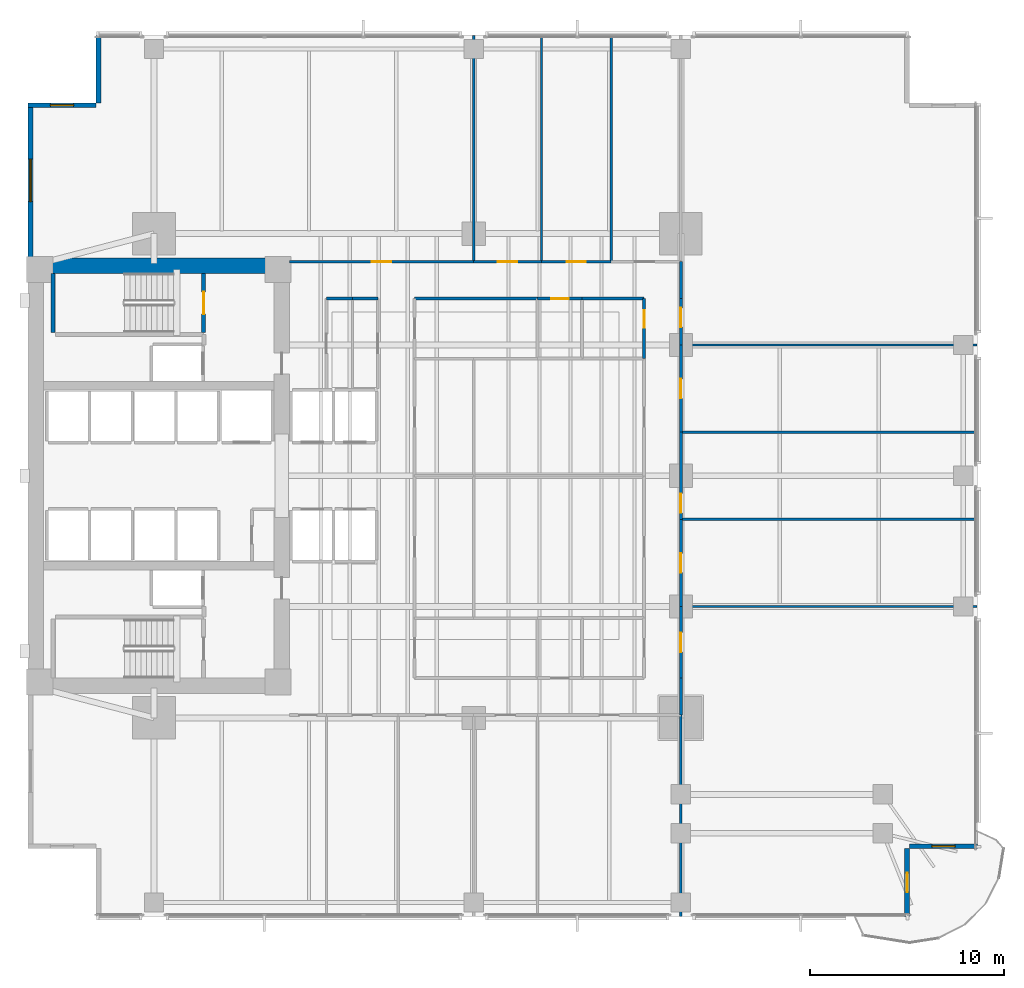
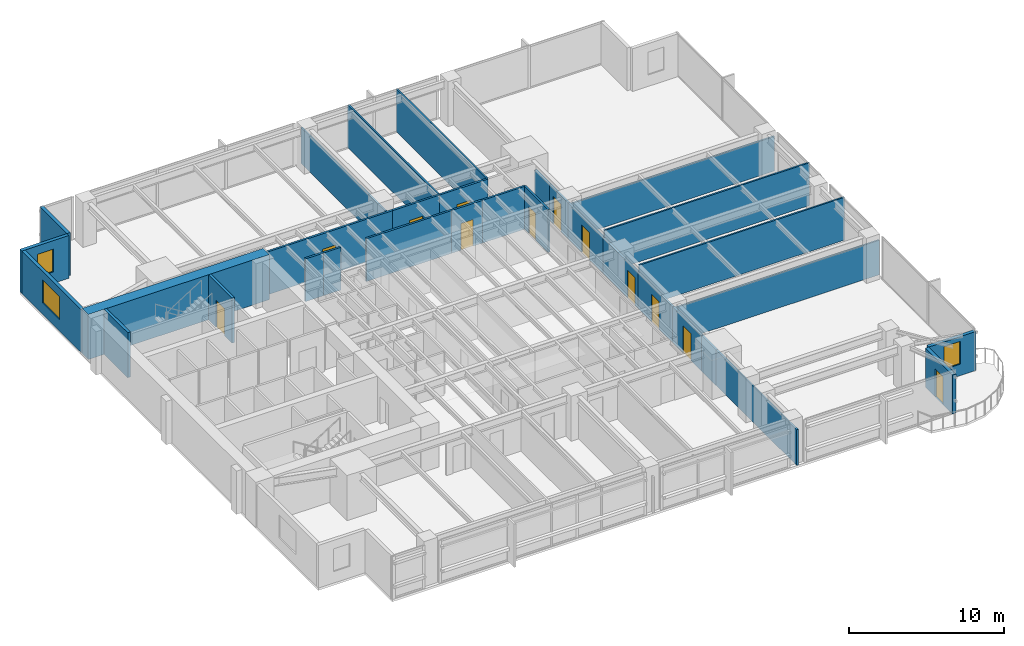
# One storey, part 10 of 15: 32 walls, 12 doors, 3 windows, 15 openings.
"""IFC4 building model written with IfcOpenShell, lengths in metres."""

from ifc_helpers import new_model, si_unit, direction, frame, frame_2d, origin, place, context, subcontext, project, spatial, rectangle, extrude, material, layer, layer_set, type_object, element, fill, save


model = new_model("IFC4")

# Units and contexts
model_context = context("Model", 3, precision=1e-05, world=origin(), true_north=direction((0.0, 1.0)))
body_context = subcontext(model_context, "Body", "Model", "MODEL_VIEW")
ifc_project = project(units=[si_unit("LENGTHUNIT", "METRE"), si_unit("AREAUNIT", "SQUARE_METRE"), si_unit("VOLUMEUNIT", "CUBIC_METRE"), si_unit("PLANEANGLEUNIT", "RADIAN"), si_unit("MASSUNIT", "GRAM", prefix="KILO")], contexts=[model_context])

# Site, building, storey
site_placement = place(None, origin())
site = spatial("IfcSite", under=ifc_project, at=site_placement, CompositionType="ELEMENT")
building_placement = place(site_placement, origin())
building = spatial("IfcBuilding", under=site, at=building_placement, Name="Kinhvarn Gate Tower", CompositionType="ELEMENT")
storey_placement = place(building_placement, frame((0.0, 0.0, 78.85009765625)))
storey = spatial("IfcBuildingStorey", under=building, at=storey_placement, Name="L20", CompositionType="ELEMENT", Elevation=78.85009765625)

# Wall
ifc_material_1 = material(Name="Concrete C70/85", Category="concrete")
ifc_layer_1 = layer(ifc_material_1, 0.800048828125)
ifc_layer_set_1 = layer_set([ifc_layer_1], Name="Concrete C70/85")
wall_type_1 = type_object("IfcWallType", Name="WL-CORE-800", PredefinedType="SHEAR", material=ifc_layer_set_1)
wall_1_placement = place(storey_placement, frame((4.5, 36.10009765625, 0.0), z_axis=(0.0, 0.0, 1.0), x_axis=(1.0, 0.0, 0.0)))
element("IfcWall", 1, at=wall_1_placement, inside=storey, type_object=wall_type_1, Name="Core North Shear Wall L20 800 mm", PredefinedType="SHEAR", context=body_context, shape_type="SweptSolid", body=[
    extrude(rectangle(XDim=13.5, YDim=0.800048828125, at=frame_2d((6.75, 0.0))), origin(), (0.0, 0.0, 1.0), 3.5498046875),
])

# Wall, opening, window
ifc_material_2 = material(Name="Fired architectural terracotta", Category="masonry")
ifc_layer_2 = layer(ifc_material_2, 0.25)
ifc_layer_set_2 = layer_set([ifc_layer_2], Name="Fired architectural terracotta")
wall_type_2 = type_object("IfcWallType", Name="WL-EXT-250", PredefinedType="SOLIDWALL", material=ifc_layer_set_2)
wall_2_placement = place(storey_placement, frame((4.625, 44.5, 0.0), z_axis=(0.0, 0.0, 1.0), x_axis=(0.0, -1.0, 0.0)))
wall_2 = element("IfcWall", 2, at=wall_2_placement, inside=storey, type_object=wall_type_2, Name="Exterior Solidwall Wall EW-250 (L20 West-North)", PredefinedType="SOLIDWALL", context=body_context, shape_type="SweptSolid", body=[
    extrude(rectangle(XDim=8.0, YDim=0.25, at=frame_2d((4.0, 0.0))), origin(), (0.0, 0.0, 1.0), 3.369873046875),
])
opening_1_placement = place(wall_2_placement, frame((2.89990234375, 0.0, 0.89990234375)))
opening_1 = element("IfcOpeningElement", 3, at=opening_1_placement, cuts=wall_2, Name="Opening WN-01", PredefinedType="OPENING", context=body_context, shape_type="SweptSolid", body=[
    extrude(rectangle(XDim=2.199951171875, YDim=1.800048828125, at=frame_2d((1.10009765625, 0.89990234375))), frame((0.0, 0.135009765625, 0.0), z_axis=(0.0, -1.0, 0.0), x_axis=(1.0, 0.0, 0.0)), (0.0, 0.0, 1.0), 0.27001953125),
])
ifc_material_3 = material(Name="Clear low-e double glazing", Category="glass")
window_type_1 = type_object("IfcWindowType", Name="WIN-RIB-2200", PartitioningType="SINGLE_PANEL", PredefinedType="WINDOW", material=ifc_material_3)
window_1_placement = place(opening_1_placement, origin())
window_1 = element("IfcWindow", 4, at=window_1_placement, inside=storey, type_object=window_type_1, Name="West Flank Double-Glazed Ribbon Window 2200x1800 mm (L20)", OverallHeight=1.800048828125, OverallWidth=2.199951171875, PartitioningType="SINGLE_PANEL", PredefinedType="WINDOW", context=body_context, shape_type="SweptSolid", body=[
    extrude(rectangle(XDim=2.199951171875, YDim=1.800048828125, at=frame_2d((1.10009765625, 0.89990234375))), frame((0.0, 0.030029296875, 0.0), z_axis=(0.0, -1.0, 0.0), x_axis=(1.0, 0.0, 0.0)), (0.0, 0.0, 1.0), 0.06005859375),
])
fill(opening_1, window_1)

# Wall, opening, door
wall_3_placement = place(storey_placement, frame((49.875, 2.5, 0.0), z_axis=(0.0, 0.0, 1.0), x_axis=(0.0, 1.0, 0.0)))
wall_3 = element("IfcWall", 5, at=wall_3_placement, inside=storey, type_object=wall_type_2, Name="Exterior Solidwall Wall EW-250 (L20 SE-Notch-Door)", PredefinedType="SOLIDWALL", context=body_context, shape_type="SweptSolid", body=[
    extrude(rectangle(XDim=3.5, YDim=0.25, at=frame_2d((1.75, 0.0))), origin(), (0.0, 0.0, 1.0), 3.06982421875),
])
opening_2_placement = place(wall_3_placement, frame((1.25, 0.0, 0.0)))
opening_2 = element("IfcOpeningElement", 6, at=opening_2_placement, cuts=wall_3, Name="Opening BD-01", PredefinedType="OPENING", context=body_context, shape_type="SweptSolid", body=[
    extrude(rectangle(XDim=1.0, YDim=2.199951171875, at=frame_2d((0.5, 1.10009765625))), frame((0.0, 0.135009765625, 0.0), z_axis=(0.0, -1.0, 0.0), x_axis=(1.0, 0.0, 0.0)), (0.0, 0.0, 1.0), 0.27001953125),
])
door_type_1 = type_object("IfcDoorType", Name="DR-BAL-1000", OperationType="NOTDEFINED", PredefinedType="DOOR", material=ifc_material_3)
door_1_placement = place(opening_2_placement, frame((1.0, 0.0, 0.0), z_axis=(0.0, 0.0, 1.0), x_axis=(-1.0, 0.0, 0.0)))
door_1 = element("IfcDoor", 7, at=door_1_placement, inside=storey, type_object=door_type_1, Name="S-Carve Balcony Door BD-01 (L20)", OperationType="SINGLE_SWING_LEFT", OverallHeight=2.199951171875, OverallWidth=1.0, PredefinedType="DOOR", context=body_context, shape_type="SweptSolid", body=[
    extrude(rectangle(XDim=1.0, YDim=2.199951171875, at=frame_2d((0.5, 1.10009765625))), frame((0.0, 0.02490234375, 0.0), z_axis=(0.0, -1.0, 0.0), x_axis=(1.0, 0.0, 0.0)), (0.0, 0.0, 1.0), 0.050048828125),
])
fill(opening_2, door_1)

# Wall, opening, window
wall_4_placement = place(storey_placement, frame((50.0, 6.125, 0.0), z_axis=(0.0, 0.0, 1.0), x_axis=(1.0, 0.0, 0.0)))
wall_4 = element("IfcWall", 8, at=wall_4_placement, inside=storey, type_object=wall_type_2, Name="Exterior Solidwall Wall EW-250 (L20 SE-Notch-Win)", PredefinedType="SOLIDWALL", context=body_context, shape_type="SweptSolid", body=[
    extrude(rectangle(XDim=3.5, YDim=0.25, at=frame_2d((1.75, 0.0))), origin(), (0.0, 0.0, 1.0), 3.06982421875),
])
opening_3_placement = place(wall_4_placement, frame((1.14990234375, 0.0, 0.89990234375)))
opening_3 = element("IfcOpeningElement", 9, at=opening_3_placement, cuts=wall_4, Name="Opening WN-02", PredefinedType="OPENING", context=body_context, shape_type="SweptSolid", body=[
    extrude(rectangle(XDim=1.199951171875, YDim=1.800048828125, at=frame_2d((0.60009765625, 0.89990234375))), frame((0.0, 0.135009765625, 0.0), z_axis=(0.0, -1.0, 0.0), x_axis=(1.0, 0.0, 0.0)), (0.0, 0.0, 1.0), 0.27001953125),
])
window_type_2 = type_object("IfcWindowType", Name="WIN-NTC-1200", PartitioningType="SINGLE_PANEL", PredefinedType="WINDOW", material=ifc_material_3)
window_2_placement = place(opening_3_placement, origin())
window_2 = element("IfcWindow", 10, at=window_2_placement, inside=storey, type_object=window_type_2, Name="Recessed Corner Notch Punched Window 1200x1800 mm (L20)", OverallHeight=1.800048828125, OverallWidth=1.199951171875, PartitioningType="SINGLE_PANEL", PredefinedType="WINDOW", context=body_context, shape_type="SweptSolid", body=[
    extrude(rectangle(XDim=1.199951171875, YDim=1.800048828125, at=frame_2d((0.60009765625, 0.89990234375))), frame((0.0, 0.030029296875, 0.0), z_axis=(0.0, -1.0, 0.0), x_axis=(1.0, 0.0, 0.0)), (0.0, 0.0, 1.0), 0.06005859375),
])
fill(opening_3, window_2)

# Wall
wall_5_placement = place(storey_placement, frame((8.125, 48.0, 0.0), z_axis=(0.0, 0.0, 1.0), x_axis=(0.0, -1.0, 0.0)))
element("IfcWall", 11, at=wall_5_placement, inside=storey, type_object=wall_type_2, Name="Exterior Solidwall Wall EW-250 (L20 NW-Notch-1)", PredefinedType="SOLIDWALL", context=body_context, shape_type="SweptSolid", body=[
    extrude(rectangle(XDim=3.5, YDim=0.25, at=frame_2d((1.75, 0.0))), origin(), (0.0, 0.0, 1.0), 3.369873046875),
])

# Wall, opening, window
wall_6_placement = place(storey_placement, frame((8.0, 44.375, 0.0), z_axis=(0.0, 0.0, 1.0), x_axis=(-1.0, 0.0, 0.0)))
wall_6 = element("IfcWall", 12, at=wall_6_placement, inside=storey, type_object=wall_type_2, Name="Exterior Solidwall Wall EW-250 (L20 NW-Notch-2)", PredefinedType="SOLIDWALL", context=body_context, shape_type="SweptSolid", body=[
    extrude(rectangle(XDim=3.5, YDim=0.25, at=frame_2d((1.75, 0.0))), origin(), (0.0, 0.0, 1.0), 3.369873046875),
])
opening_4_placement = place(wall_6_placement, frame((1.14990234375, 0.0, 0.89990234375)))
opening_4 = element("IfcOpeningElement", 13, at=opening_4_placement, cuts=wall_6, Name="Opening WN-02", PredefinedType="OPENING", context=body_context, shape_type="SweptSolid", body=[
    extrude(rectangle(XDim=1.199951171875, YDim=1.800048828125, at=frame_2d((0.60009765625, 0.89990234375))), frame((0.0, 0.135009765625, 0.0), z_axis=(0.0, -1.0, 0.0), x_axis=(1.0, 0.0, 0.0)), (0.0, 0.0, 1.0), 0.27001953125),
])
window_3_placement = place(opening_4_placement, origin())
window_3 = element("IfcWindow", 14, at=window_3_placement, inside=storey, type_object=window_type_2, Name="Recessed Corner Notch Punched Window 1200x1800 mm (L20)", OverallHeight=1.800048828125, OverallWidth=1.199951171875, PartitioningType="SINGLE_PANEL", PredefinedType="WINDOW", context=body_context, shape_type="SweptSolid", body=[
    extrude(rectangle(XDim=1.199951171875, YDim=1.800048828125, at=frame_2d((0.60009765625, 0.89990234375))), frame((0.0, 0.030029296875, 0.0), z_axis=(0.0, -1.0, 0.0), x_axis=(1.0, 0.0, 0.0)), (0.0, 0.0, 1.0), 0.06005859375),
])
fill(opening_4, window_3)

# Wall
ifc_material_4 = material(Name="Gypsum acoustic partition board")
ifc_layer_3 = layer(ifc_material_4, 0.14990234375)
ifc_layer_set_3 = layer_set([ifc_layer_3], Name="Gypsum acoustic partition board")
wall_type_3 = type_object("IfcWallType", Name="WL-PLM-150F", PredefinedType="PLUMBINGWALL", material=ifc_layer_set_3)
wall_7_placement = place(storey_placement, frame((33.10009765625, 34.39990234375, 0.0), z_axis=(0.0, 0.0, 1.0), x_axis=(1.0, 0.0, 0.0)))
element("IfcWall", 15, at=wall_7_placement, inside=storey, type_object=wall_type_3, Name="Interior Partition PLW-150F (L20)", PredefinedType="PLUMBINGWALL", context=body_context, shape_type="SweptSolid", body=[
    extrude(rectangle(XDim=3.199951171875, YDim=0.14990234375, at=frame_2d((1.60009765625, 0.0))), origin(), (0.0, 0.0, 1.0), 3.369873046875),
])

# Wall, opening, door
wall_8_placement = place(storey_placement, frame((30.800048828125, 34.39990234375, 0.0), z_axis=(0.0, 0.0, 1.0), x_axis=(1.0, 0.0, 0.0)))
wall_8 = element("IfcWall", 16, at=wall_8_placement, inside=storey, type_object=wall_type_3, Name="Interior Partition PLW-150F (L20)", PredefinedType="PLUMBINGWALL", context=body_context, shape_type="SweptSolid", body=[
    extrude(rectangle(XDim=2.300048828125, YDim=0.14990234375, at=frame_2d((1.14990234375, 0.0))), origin(), (0.0, 0.0, 1.0), 3.369873046875),
])
opening_5_placement = place(wall_8_placement, frame((0.699951171875, 0.0, 0.0)))
opening_5 = element("IfcOpeningElement", 17, at=opening_5_placement, cuts=wall_8, Name="Opening FD-04", PredefinedType="OPENING", context=body_context, shape_type="SweptSolid", body=[
    extrude(rectangle(XDim=0.89990234375, YDim=2.10009765625, at=frame_2d((0.449951171875, 1.050048828125))), frame((0.0, 0.0849609375, 0.0), z_axis=(0.0, -1.0, 0.0), x_axis=(1.0, 0.0, 0.0)), (0.0, 0.0, 1.0), 0.169921875),
])
ifc_material_5 = material(Name="Anodised aluminium AW-6063", Category="aluminium")
door_type_2 = type_object("IfcDoorType", Name="DR-FD-900", OperationType="NOTDEFINED", PredefinedType="DOOR", material=ifc_material_5)
door_2_placement = place(opening_5_placement, origin())
door_2 = element("IfcDoor", 18, at=door_2_placement, inside=storey, type_object=door_type_2, Name="Rated Riser & Service Closet Fire Door 900x2100 mm (L20)", OperationType="SINGLE_SWING_LEFT", OverallHeight=2.10009765625, OverallWidth=0.89990234375, PredefinedType="DOOR", context=body_context, shape_type="SweptSolid", body=[
    extrude(rectangle(XDim=0.89990234375, YDim=2.10009765625, at=frame_2d((0.449951171875, 1.050048828125))), frame((0.0, 0.02490234375, 0.0), z_axis=(0.0, -1.0, 0.0), x_axis=(1.0, 0.0, 0.0)), (0.0, 0.0, 1.0), 0.050048828125),
])
fill(opening_5, door_2)

wall_9_placement = place(storey_placement, frame((36.300048828125, 31.300048828125, 0.0), z_axis=(0.0, 0.0, 1.0), x_axis=(0.0, 1.0, 0.0)))
wall_9 = element("IfcWall", 19, at=wall_9_placement, inside=storey, type_object=wall_type_3, Name="Interior Partition PLW-150F (L20)", PredefinedType="PLUMBINGWALL", context=body_context, shape_type="SweptSolid", body=[
    extrude(rectangle(XDim=3.099853515625, YDim=0.14990234375, at=frame_2d((1.5498046875, 0.0))), origin(), (0.0, 0.0, 1.0), 3.369873046875),
])
opening_6_placement = place(wall_9_placement, frame((1.594970703125, 0.0, 0.0)))
opening_6 = element("IfcOpeningElement", 20, at=opening_6_placement, cuts=wall_9, Name="Opening FD-04", PredefinedType="OPENING", context=body_context, shape_type="SweptSolid", body=[
    extrude(rectangle(XDim=0.89990234375, YDim=2.10009765625, at=frame_2d((0.449951171875, 1.050048828125))), frame((0.0, 0.0849609375, 0.0), z_axis=(0.0, -1.0, 0.0), x_axis=(1.0, 0.0, 0.0)), (0.0, 0.0, 1.0), 0.169921875),
])
door_3_placement = place(opening_6_placement, origin())
door_3 = element("IfcDoor", 21, at=door_3_placement, inside=storey, type_object=door_type_2, Name="Rated Riser & Service Closet Fire Door 900x2100 mm (L20)", OperationType="SINGLE_SWING_LEFT", OverallHeight=2.10009765625, OverallWidth=0.89990234375, PredefinedType="DOOR", context=body_context, shape_type="SweptSolid", body=[
    extrude(rectangle(XDim=0.89990234375, YDim=2.10009765625, at=frame_2d((0.449951171875, 1.050048828125))), frame((0.0, 0.02490234375, 0.0), z_axis=(0.0, -1.0, 0.0), x_axis=(1.0, 0.0, 0.0)), (0.0, 0.0, 1.0), 0.050048828125),
])
fill(opening_6, door_3)

# Walls
ifc_layer_4 = layer(ifc_material_4, 0.1201171875)
ifc_layer_set_4 = layer_set([ifc_layer_4], Name="Gypsum acoustic partition board")
wall_type_4 = type_object("IfcWallType", Name="WL-PRT-120", PredefinedType="PARTITIONING", material=ifc_layer_set_4)
wall_10_placement = place(storey_placement, frame((38.199951171875, 2.510009765625, 0.0), z_axis=(0.0, 0.0, 1.0), x_axis=(0.0, 1.0, 0.0)))
element("IfcWall", 22, at=wall_10_placement, inside=storey, type_object=wall_type_4, Name="Interior Partition PW-120 (L20)", PredefinedType="PARTITIONING", context=body_context, shape_type="SweptSolid", body=[
    extrude(rectangle(XDim=10.389892578125, YDim=0.1201171875, at=frame_2d((5.19482421875, 0.0))), origin(), (0.0, 0.0, 1.0), 2.81982421875),
])
wall_11_placement = place(storey_placement, frame((27.5, 36.300048828125, 0.0), z_axis=(0.0, 0.0, 1.0), x_axis=(0.0, 1.0, 0.0)))
element("IfcWall", 23, at=wall_11_placement, inside=storey, type_object=wall_type_4, Name="Interior Partition PW-120 (L20)", PredefinedType="PARTITIONING", context=body_context, shape_type="SweptSolid", body=[
    extrude(rectangle(XDim=11.68994140625, YDim=0.1201171875, at=frame_2d((5.844970703125, 0.0))), origin(), (0.0, 0.0, 1.0), 2.81982421875),
])
for number, where, z_axis, x_axis, name in (
    (24, (31.0, 36.300048828125, 0.0), (0.0, 0.0, 1.0), (0.0, 1.0, 0.0), "Interior Partition PW-120 (L20)"),
    (25, (34.60009765625, 36.300048828125, 0.0), (0.0, 0.0, 1.0), (0.0, 1.0, 0.0), "Interior Partition PW-120 (L20)"),
):
    element("IfcWall", number, at=place(storey_placement, frame(where, z_axis=z_axis, x_axis=x_axis)), inside=storey, type_object=wall_type_4, Name=name, PredefinedType="PARTITIONING", context=body_context, shape_type="SweptSolid", body=[
        extrude(rectangle(XDim=11.68994140625, YDim=0.1201171875, at=frame_2d((5.844970703125, 0.0))), origin(), (0.0, 0.0, 1.0), 3.369873046875),
    ])
wall_12_placement = place(storey_placement, frame((38.199951171875, 18.5, 0.0), z_axis=(0.0, 0.0, 1.0), x_axis=(1.0, 0.0, 0.0)))
element("IfcWall", 26, at=wall_12_placement, inside=storey, type_object=wall_type_4, Name="Interior Partition PW-120 (L20)", PredefinedType="PARTITIONING", context=body_context, shape_type="SweptSolid", body=[
    extrude(rectangle(XDim=15.2900390625, YDim=0.1201171875, at=frame_2d((7.64501953125, 0.0))), origin(), (0.0, 0.0, 1.0), 2.719970703125),
])
for number, where, z_axis, x_axis, name in (
    (27, (38.199951171875, 23.0, 0.0), (0.0, 0.0, 1.0), (1.0, 0.0, 0.0), "Interior Partition PW-120 (L20)"),
    (28, (38.199951171875, 27.5, 0.0), (0.0, 0.0, 1.0), (1.0, 0.0, 0.0), "Interior Partition PW-120 (L20)"),
):
    element("IfcWall", number, at=place(storey_placement, frame(where, z_axis=z_axis, x_axis=x_axis)), inside=storey, type_object=wall_type_4, Name=name, PredefinedType="PARTITIONING", context=body_context, shape_type="SweptSolid", body=[
        extrude(rectangle(XDim=15.2900390625, YDim=0.1201171875, at=frame_2d((7.64501953125, 0.0))), origin(), (0.0, 0.0, 1.0), 3.369873046875),
    ])
wall_13_placement = place(storey_placement, frame((38.199951171875, 32.0, 0.0), z_axis=(0.0, 0.0, 1.0), x_axis=(1.0, 0.0, 0.0)))
element("IfcWall", 29, at=wall_13_placement, inside=storey, type_object=wall_type_4, Name="Interior Partition PW-120 (L20)", PredefinedType="PARTITIONING", context=body_context, shape_type="SweptSolid", body=[
    extrude(rectangle(XDim=15.2900390625, YDim=0.1201171875, at=frame_2d((7.64501953125, 0.0))), origin(), (0.0, 0.0, 1.0), 2.719970703125),
])
ifc_layer_5 = layer(ifc_material_4, 0.14990234375)
ifc_layer_set_5 = layer_set([ifc_layer_5], Name="Gypsum acoustic partition board")
wall_type_5 = type_object("IfcWallType", Name="WL-PRT-150F", PredefinedType="PARTITIONING", material=ifc_layer_set_5)
wall_14_placement = place(storey_placement, frame((38.199951171875, 12.89990234375, 0.0), z_axis=(0.0, 0.0, 1.0), x_axis=(0.0, 1.0, 0.0)))
element("IfcWall", 30, at=wall_14_placement, inside=storey, type_object=wall_type_5, Name="Interior Partition PW-150F (L20)", PredefinedType="PARTITIONING", context=body_context, shape_type="SweptSolid", body=[
    extrude(rectangle(XDim=1.900146484375, YDim=0.14990234375, at=frame_2d((0.9501953125, 0.0))), origin(), (0.0, 0.0, 1.0), 2.81982421875),
])
wall_15_placement = place(storey_placement, frame((19.89990234375, 34.39990234375, 0.0), z_axis=(0.0, 0.0, 1.0), x_axis=(1.0, 0.0, 0.0)))
element("IfcWall", 31, at=wall_15_placement, inside=storey, type_object=wall_type_5, Name="Interior Partition PW-150F (L20)", PredefinedType="PARTITIONING", context=body_context, shape_type="SweptSolid", body=[
    extrude(rectangle(XDim=1.35009765625, YDim=0.14990234375, at=frame_2d((0.675048828125, 0.0))), origin(), (0.0, 0.0, 1.0), 3.369873046875),
])
wall_16_placement = place(storey_placement, frame((21.25, 34.39990234375, 0.0), z_axis=(0.0, 0.0, 1.0), x_axis=(1.0, 0.0, 0.0)))
element("IfcWall", 32, at=wall_16_placement, inside=storey, type_object=wall_type_5, Name="Interior Partition PW-150F (L20)", PredefinedType="PARTITIONING", context=body_context, shape_type="SweptSolid", body=[
    extrude(rectangle(XDim=1.300048828125, YDim=0.14990234375, at=frame_2d((0.64990234375, 0.0))), origin(), (0.0, 0.0, 1.0), 3.369873046875),
])
wall_17_placement = place(storey_placement, frame((24.449951171875, 34.39990234375, 0.0), z_axis=(0.0, 0.0, 1.0), x_axis=(1.0, 0.0, 0.0)))
element("IfcWall", 33, at=wall_17_placement, inside=storey, type_object=wall_type_5, Name="Interior Partition PW-150F (L20)", PredefinedType="PARTITIONING", context=body_context, shape_type="SweptSolid", body=[
    extrude(rectangle(XDim=6.35009765625, YDim=0.14990234375, at=frame_2d((3.175048828125, 0.0))), origin(), (0.0, 0.0, 1.0), 3.369873046875),
])

# Wall, opening, door
wall_18_placement = place(storey_placement, frame((18.0, 36.300048828125, 0.0), z_axis=(0.0, 0.0, 1.0), x_axis=(1.0, 0.0, 0.0)))
wall_18 = element("IfcWall", 34, at=wall_18_placement, inside=storey, type_object=wall_type_5, Name="Interior Partition PW-150F (L20)", PredefinedType="PARTITIONING", context=body_context, shape_type="SweptSolid", body=[
    extrude(rectangle(XDim=9.5, YDim=0.14990234375, at=frame_2d((4.75, 0.0))), origin(), (0.0, 0.0, 1.0), 3.369873046875),
])
opening_7_placement = place(wall_18_placement, frame((4.25, 0.0, 0.0)))
opening_7 = element("IfcOpeningElement", 35, at=opening_7_placement, cuts=wall_18, Name="Opening ID-02", PredefinedType="OPENING", context=body_context, shape_type="SweptSolid", body=[
    extrude(rectangle(XDim=1.0, YDim=2.14990234375, at=frame_2d((0.5, 1.074951171875))), frame((0.0, 0.0849609375, 0.0), z_axis=(0.0, -1.0, 0.0), x_axis=(1.0, 0.0, 0.0)), (0.0, 0.0, 1.0), 0.169921875),
])
door_type_3 = type_object("IfcDoorType", Name="DR-INT-1000", OperationType="NOTDEFINED", PredefinedType="DOOR", material=ifc_material_5)
door_4_placement = place(opening_7_placement, origin())
door_4 = element("IfcDoor", 36, at=door_4_placement, inside=storey, type_object=door_type_3, Name="Standard Office & Meeting Room Door 1000x2150 mm (L20)", OperationType="SINGLE_SWING_RIGHT", OverallHeight=2.14990234375, OverallWidth=1.0, PredefinedType="DOOR", context=body_context, shape_type="SweptSolid", body=[
    extrude(rectangle(XDim=1.0, YDim=2.14990234375, at=frame_2d((0.5, 1.074951171875))), frame((0.0, 0.02490234375, 0.0), z_axis=(0.0, -1.0, 0.0), x_axis=(1.0, 0.0, 0.0)), (0.0, 0.0, 1.0), 0.050048828125),
])
fill(opening_7, door_4)

wall_19_placement = place(storey_placement, frame((27.5, 36.300048828125, 0.0), z_axis=(0.0, 0.0, 1.0), x_axis=(1.0, 0.0, 0.0)))
wall_19 = element("IfcWall", 37, at=wall_19_placement, inside=storey, type_object=wall_type_5, Name="Interior Partition PW-150F (L20)", PredefinedType="PARTITIONING", context=body_context, shape_type="SweptSolid", body=[
    extrude(rectangle(XDim=3.5, YDim=0.14990234375, at=frame_2d((1.75, 0.0))), origin(), (0.0, 0.0, 1.0), 3.369873046875),
])
opening_8_placement = place(wall_19_placement, frame((1.25, 0.0, 0.0)))
opening_8 = element("IfcOpeningElement", 38, at=opening_8_placement, cuts=wall_19, Name="Opening ID-02", PredefinedType="OPENING", context=body_context, shape_type="SweptSolid", body=[
    extrude(rectangle(XDim=1.0, YDim=2.14990234375, at=frame_2d((0.5, 1.074951171875))), frame((0.0, 0.0849609375, 0.0), z_axis=(0.0, -1.0, 0.0), x_axis=(1.0, 0.0, 0.0)), (0.0, 0.0, 1.0), 0.169921875),
])
door_5_placement = place(opening_8_placement, origin())
door_5 = element("IfcDoor", 39, at=door_5_placement, inside=storey, type_object=door_type_3, Name="Standard Office & Meeting Room Door 1000x2150 mm (L20)", OperationType="SINGLE_SWING_LEFT", OverallHeight=2.14990234375, OverallWidth=1.0, PredefinedType="DOOR", context=body_context, shape_type="SweptSolid", body=[
    extrude(rectangle(XDim=1.0, YDim=2.14990234375, at=frame_2d((0.5, 1.074951171875))), frame((0.0, 0.02490234375, 0.0), z_axis=(0.0, -1.0, 0.0), x_axis=(1.0, 0.0, 0.0)), (0.0, 0.0, 1.0), 0.050048828125),
])
fill(opening_8, door_5)

wall_20_placement = place(storey_placement, frame((31.0, 36.300048828125, 0.0), z_axis=(0.0, 0.0, 1.0), x_axis=(1.0, 0.0, 0.0)))
wall_20 = element("IfcWall", 40, at=wall_20_placement, inside=storey, type_object=wall_type_5, Name="Interior Partition PW-150F (L20)", PredefinedType="PARTITIONING", context=body_context, shape_type="SweptSolid", body=[
    extrude(rectangle(XDim=3.60009765625, YDim=0.14990234375, at=frame_2d((1.800048828125, 0.0))), origin(), (0.0, 0.0, 1.0), 3.369873046875),
])
opening_9_placement = place(wall_20_placement, frame((1.300048828125, 0.0, 0.0)))
opening_9 = element("IfcOpeningElement", 41, at=opening_9_placement, cuts=wall_20, Name="Opening ID-02", PredefinedType="OPENING", context=body_context, shape_type="SweptSolid", body=[
    extrude(rectangle(XDim=1.0, YDim=2.14990234375, at=frame_2d((0.5, 1.074951171875))), frame((0.0, 0.0849609375, 0.0), z_axis=(0.0, -1.0, 0.0), x_axis=(1.0, 0.0, 0.0)), (0.0, 0.0, 1.0), 0.169921875),
])
door_6_placement = place(opening_9_placement, origin())
door_6 = element("IfcDoor", 42, at=door_6_placement, inside=storey, type_object=door_type_3, Name="Standard Office & Meeting Room Door 1000x2150 mm (L20)", OperationType="SINGLE_SWING_RIGHT", OverallHeight=2.14990234375, OverallWidth=1.0, PredefinedType="DOOR", context=body_context, shape_type="SweptSolid", body=[
    extrude(rectangle(XDim=1.0, YDim=2.14990234375, at=frame_2d((0.5, 1.074951171875))), frame((0.0, 0.02490234375, 0.0), z_axis=(0.0, -1.0, 0.0), x_axis=(1.0, 0.0, 0.0)), (0.0, 0.0, 1.0), 0.050048828125),
])
fill(opening_9, door_6)

# Wall
wall_21_placement = place(storey_placement, frame((38.199951171875, 34.39990234375, 0.0), z_axis=(0.0, 0.0, 1.0), x_axis=(0.0, 1.0, 0.0)))
element("IfcWall", 43, at=wall_21_placement, inside=storey, type_object=wall_type_5, Name="Interior Partition PW-150F (L20)", PredefinedType="PARTITIONING", context=body_context, shape_type="SweptSolid", body=[
    extrude(rectangle(XDim=1.900146484375, YDim=0.14990234375, at=frame_2d((0.9501953125, 0.0))), origin(), (0.0, 0.0, 1.0), 2.81982421875),
])

# Wall, opening, door
wall_22_placement = place(storey_placement, frame((38.199951171875, 14.800048828125, 0.0), z_axis=(0.0, 0.0, 1.0), x_axis=(0.0, 1.0, 0.0)))
wall_22 = element("IfcWall", 44, at=wall_22_placement, inside=storey, type_object=wall_type_5, Name="Interior Partition PW-150F (L20)", PredefinedType="PARTITIONING", context=body_context, shape_type="SweptSolid", body=[
    extrude(rectangle(XDim=3.699951171875, YDim=0.14990234375, at=frame_2d((1.85009765625, 0.0))), origin(), (0.0, 0.0, 1.0), 2.81982421875),
])
opening_10_placement = place(wall_22_placement, frame((1.35009765625, 0.0, 0.0)))
opening_10 = element("IfcOpeningElement", 45, at=opening_10_placement, cuts=wall_22, Name="Opening ID-02", PredefinedType="OPENING", context=body_context, shape_type="SweptSolid", body=[
    extrude(rectangle(XDim=1.0, YDim=2.14990234375, at=frame_2d((0.5, 1.074951171875))), frame((0.0, 0.0849609375, 0.0), z_axis=(0.0, -1.0, 0.0), x_axis=(1.0, 0.0, 0.0)), (0.0, 0.0, 1.0), 0.169921875),
])
door_7_placement = place(opening_10_placement, origin())
door_7 = element("IfcDoor", 46, at=door_7_placement, inside=storey, type_object=door_type_3, Name="Standard Office & Meeting Room Door 1000x2150 mm (L20)", OperationType="SINGLE_SWING_RIGHT", OverallHeight=2.14990234375, OverallWidth=1.0, PredefinedType="DOOR", context=body_context, shape_type="SweptSolid", body=[
    extrude(rectangle(XDim=1.0, YDim=2.14990234375, at=frame_2d((0.5, 1.074951171875))), frame((0.0, 0.02490234375, 0.0), z_axis=(0.0, -1.0, 0.0), x_axis=(1.0, 0.0, 0.0)), (0.0, 0.0, 1.0), 0.050048828125),
])
fill(opening_10, door_7)

wall_23_placement = place(storey_placement, frame((38.199951171875, 18.5, 0.0), z_axis=(0.0, 0.0, 1.0), x_axis=(0.0, 1.0, 0.0)))
wall_23 = element("IfcWall", 47, at=wall_23_placement, inside=storey, type_object=wall_type_5, Name="Interior Partition PW-150F (L20)", PredefinedType="PARTITIONING", context=body_context, shape_type="SweptSolid", body=[
    extrude(rectangle(XDim=4.5, YDim=0.14990234375, at=frame_2d((2.25, 0.0))), origin(), (0.0, 0.0, 1.0), 2.81982421875),
])
opening_11_placement = place(wall_23_placement, frame((1.75, 0.0, 0.0)))
opening_11 = element("IfcOpeningElement", 48, at=opening_11_placement, cuts=wall_23, Name="Opening ID-02", PredefinedType="OPENING", context=body_context, shape_type="SweptSolid", body=[
    extrude(rectangle(XDim=1.0, YDim=2.14990234375, at=frame_2d((0.5, 1.074951171875))), frame((0.0, 0.0849609375, 0.0), z_axis=(0.0, -1.0, 0.0), x_axis=(1.0, 0.0, 0.0)), (0.0, 0.0, 1.0), 0.169921875),
])
door_8_placement = place(opening_11_placement, origin())
door_8 = element("IfcDoor", 49, at=door_8_placement, inside=storey, type_object=door_type_3, Name="Standard Office & Meeting Room Door 1000x2150 mm (L20)", OperationType="SINGLE_SWING_LEFT", OverallHeight=2.14990234375, OverallWidth=1.0, PredefinedType="DOOR", context=body_context, shape_type="SweptSolid", body=[
    extrude(rectangle(XDim=1.0, YDim=2.14990234375, at=frame_2d((0.5, 1.074951171875))), frame((0.0, 0.02490234375, 0.0), z_axis=(0.0, -1.0, 0.0), x_axis=(1.0, 0.0, 0.0)), (0.0, 0.0, 1.0), 0.050048828125),
])
fill(opening_11, door_8)

wall_24_placement = place(storey_placement, frame((38.199951171875, 23.0, 0.0), z_axis=(0.0, 0.0, 1.0), x_axis=(0.0, 1.0, 0.0)))
wall_24 = element("IfcWall", 50, at=wall_24_placement, inside=storey, type_object=wall_type_5, Name="Interior Partition PW-150F (L20)", PredefinedType="PARTITIONING", context=body_context, shape_type="SweptSolid", body=[
    extrude(rectangle(XDim=4.5, YDim=0.14990234375, at=frame_2d((2.25, 0.0))), origin(), (0.0, 0.0, 1.0), 2.81982421875),
])
opening_12_placement = place(wall_24_placement, frame((0.330078125, 0.0, 0.0)))
opening_12 = element("IfcOpeningElement", 51, at=opening_12_placement, cuts=wall_24, Name="Opening ID-02", PredefinedType="OPENING", context=body_context, shape_type="SweptSolid", body=[
    extrude(rectangle(XDim=1.0, YDim=2.14990234375, at=frame_2d((0.5, 1.074951171875))), frame((0.0, 0.0849609375, 0.0), z_axis=(0.0, -1.0, 0.0), x_axis=(1.0, 0.0, 0.0)), (0.0, 0.0, 1.0), 0.169921875),
])
door_9_placement = place(opening_12_placement, origin())
door_9 = element("IfcDoor", 52, at=door_9_placement, inside=storey, type_object=door_type_3, Name="Standard Office & Meeting Room Door 1000x2150 mm (L20)", OperationType="SINGLE_SWING_RIGHT", OverallHeight=2.14990234375, OverallWidth=1.0, PredefinedType="DOOR", context=body_context, shape_type="SweptSolid", body=[
    extrude(rectangle(XDim=1.0, YDim=2.14990234375, at=frame_2d((0.5, 1.074951171875))), frame((0.0, 0.02490234375, 0.0), z_axis=(0.0, -1.0, 0.0), x_axis=(1.0, 0.0, 0.0)), (0.0, 0.0, 1.0), 0.050048828125),
])
fill(opening_12, door_9)

wall_25_placement = place(storey_placement, frame((38.199951171875, 27.5, 0.0), z_axis=(0.0, 0.0, 1.0), x_axis=(0.0, 1.0, 0.0)))
wall_25 = element("IfcWall", 53, at=wall_25_placement, inside=storey, type_object=wall_type_5, Name="Interior Partition PW-150F (L20)", PredefinedType="PARTITIONING", context=body_context, shape_type="SweptSolid", body=[
    extrude(rectangle(XDim=4.5, YDim=0.14990234375, at=frame_2d((2.25, 0.0))), origin(), (0.0, 0.0, 1.0), 2.81982421875),
])
opening_13_placement = place(wall_25_placement, frame((1.75, 0.0, 0.0)))
opening_13 = element("IfcOpeningElement", 54, at=opening_13_placement, cuts=wall_25, Name="Opening ID-02", PredefinedType="OPENING", context=body_context, shape_type="SweptSolid", body=[
    extrude(rectangle(XDim=1.0, YDim=2.14990234375, at=frame_2d((0.5, 1.074951171875))), frame((0.0, 0.0849609375, 0.0), z_axis=(0.0, -1.0, 0.0), x_axis=(1.0, 0.0, 0.0)), (0.0, 0.0, 1.0), 0.169921875),
])
door_10_placement = place(opening_13_placement, origin())
door_10 = element("IfcDoor", 55, at=door_10_placement, inside=storey, type_object=door_type_3, Name="Standard Office & Meeting Room Door 1000x2150 mm (L20)", OperationType="SINGLE_SWING_LEFT", OverallHeight=2.14990234375, OverallWidth=1.0, PredefinedType="DOOR", context=body_context, shape_type="SweptSolid", body=[
    extrude(rectangle(XDim=1.0, YDim=2.14990234375, at=frame_2d((0.5, 1.074951171875))), frame((0.0, 0.02490234375, 0.0), z_axis=(0.0, -1.0, 0.0), x_axis=(1.0, 0.0, 0.0)), (0.0, 0.0, 1.0), 0.050048828125),
])
fill(opening_13, door_10)

wall_26_placement = place(storey_placement, frame((38.199951171875, 32.0, 0.0), z_axis=(0.0, 0.0, 1.0), x_axis=(0.0, 1.0, 0.0)))
wall_26 = element("IfcWall", 56, at=wall_26_placement, inside=storey, type_object=wall_type_5, Name="Interior Partition PW-150F (L20)", PredefinedType="PARTITIONING", context=body_context, shape_type="SweptSolid", body=[
    extrude(rectangle(XDim=2.39990234375, YDim=0.14990234375, at=frame_2d((1.199951171875, 0.0))), origin(), (0.0, 0.0, 1.0), 2.81982421875),
])
opening_14_placement = place(wall_26_placement, frame((0.923095703125, 0.0, 0.0)))
opening_14 = element("IfcOpeningElement", 57, at=opening_14_placement, cuts=wall_26, Name="Opening ID-02", PredefinedType="OPENING", context=body_context, shape_type="SweptSolid", body=[
    extrude(rectangle(XDim=1.0, YDim=2.14990234375, at=frame_2d((0.5, 1.074951171875))), frame((0.0, 0.0849609375, 0.0), z_axis=(0.0, -1.0, 0.0), x_axis=(1.0, 0.0, 0.0)), (0.0, 0.0, 1.0), 0.169921875),
])
door_11_placement = place(opening_14_placement, origin())
door_11 = element("IfcDoor", 58, at=door_11_placement, inside=storey, type_object=door_type_3, Name="Standard Office & Meeting Room Door 1000x2150 mm (L20)", OperationType="SINGLE_SWING_RIGHT", OverallHeight=2.14990234375, OverallWidth=1.0, PredefinedType="DOOR", context=body_context, shape_type="SweptSolid", body=[
    extrude(rectangle(XDim=1.0, YDim=2.14990234375, at=frame_2d((0.5, 1.074951171875))), frame((0.0, 0.02490234375, 0.0), z_axis=(0.0, -1.0, 0.0), x_axis=(1.0, 0.0, 0.0)), (0.0, 0.0, 1.0), 0.050048828125),
])
fill(opening_14, door_11)

# Wall
ifc_material_6 = material(Name="Concrete C40/50", Category="concrete")
ifc_layer_6 = layer(ifc_material_6, 0.199951171875)
ifc_layer_set_6 = layer_set([ifc_layer_6], Name="Concrete C40/50")
wall_type_6 = type_object("IfcWallType", Name="WL-SHF-200", PredefinedType="SOLIDWALL", material=ifc_layer_set_6)
wall_27_placement = place(storey_placement, frame((5.7900390625, 32.64990234375, 0.0), z_axis=(0.0, 0.0, 1.0), x_axis=(0.0, 1.0, 0.0)))
element("IfcWall", 59, at=wall_27_placement, inside=storey, type_object=wall_type_6, Name="Stair ST2 West Shaft Wall (L20)", PredefinedType="SOLIDWALL", context=body_context, shape_type="SweptSolid", body=[
    extrude(rectangle(XDim=3.050048828125, YDim=0.199951171875, at=frame_2d((1.52490234375, 0.0))), origin(), (0.0, 0.0, 1.0), 3.5498046875),
])

# Wall, opening, door
wall_28_placement = place(storey_placement, frame((13.56005859375, 32.64990234375, 0.0), z_axis=(0.0, 0.0, 1.0), x_axis=(0.0, 1.0, 0.0)))
wall_28 = element("IfcWall", 60, at=wall_28_placement, inside=storey, type_object=wall_type_6, Name="Stair ST2 East Entry Wall (L20)", PredefinedType="SOLIDWALL", context=body_context, shape_type="SweptSolid", body=[
    extrude(rectangle(XDim=3.050048828125, YDim=0.199951171875, at=frame_2d((1.52490234375, 0.0))), origin(), (0.0, 0.0, 1.0), 3.5498046875),
])
opening_15_placement = place(wall_28_placement, frame((0.949951171875, 0.0, 0.0)))
opening_15 = element("IfcOpeningElement", 61, at=opening_15_placement, cuts=wall_28, Name="Opening FD-01", PredefinedType="OPENING", context=body_context, shape_type="SweptSolid", body=[
    extrude(rectangle(XDim=1.14990234375, YDim=2.14990234375, at=frame_2d((0.574951171875, 1.074951171875))), frame((0.0, 0.10986328125, 0.0), z_axis=(0.0, -1.0, 0.0), x_axis=(1.0, 0.0, 0.0)), (0.0, 0.0, 1.0), 0.219970703125),
])
door_type_4 = type_object("IfcDoorType", Name="DR-ST-1150", OperationType="NOTDEFINED", PredefinedType="DOOR", material=ifc_material_5)
door_12_placement = place(opening_15_placement, origin())
door_12 = element("IfcDoor", 62, at=door_12_placement, inside=storey, type_object=door_type_4, Name="Exit Stair ST2 Fire Door (L20)", OperationType="SINGLE_SWING_LEFT", OverallHeight=2.14990234375, OverallWidth=1.14990234375, PredefinedType="DOOR", context=body_context, shape_type="SweptSolid", body=[
    extrude(rectangle(XDim=1.14990234375, YDim=2.14990234375, at=frame_2d((0.574951171875, 1.074951171875))), frame((0.0, 0.02490234375, 0.0), z_axis=(0.0, -1.0, 0.0), x_axis=(1.0, 0.0, 0.0)), (0.0, 0.0, 1.0), 0.050048828125),
])
fill(opening_15, door_12)

save(model, "model.ifc")
